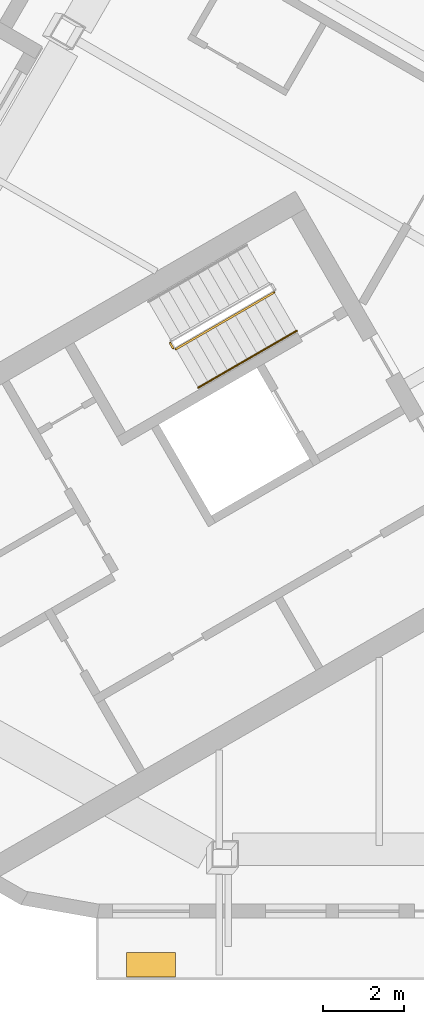
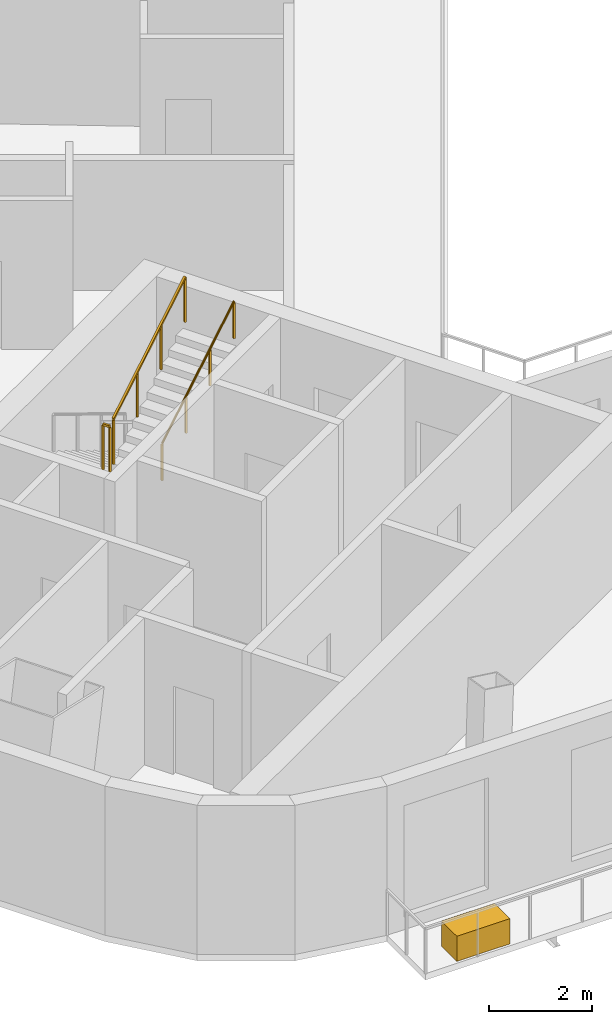
# One storey, part 9 of 14: 3 railings, 1 covering.
"""IFC4 building model written with IfcOpenShell, lengths in metres."""

from ifc_helpers import new_model, si_unit, direction, frame, origin, origin_2d, place, context, subcontext, project, spatial, rectangle, circle, extrude, material, type_object, element, save


model = new_model("IFC4")

# Units and contexts
model_context = context("Model", 3, precision=1e-05, world=origin(), true_north=direction((0.0, 1.0)))
body_context = subcontext(model_context, "Body", "Model", "MODEL_VIEW")
ifc_project = project(units=[si_unit("LENGTHUNIT", "METRE"), si_unit("AREAUNIT", "SQUARE_METRE"), si_unit("VOLUMEUNIT", "CUBIC_METRE"), si_unit("PLANEANGLEUNIT", "RADIAN"), si_unit("MASSUNIT", "GRAM", prefix="KILO")], contexts=[model_context])

# Site, building, storey
site_placement = place(None, origin())
site = spatial("IfcSite", under=ifc_project, at=site_placement, CompositionType="ELEMENT")
building_placement = place(site_placement, origin())
building = spatial("IfcBuilding", under=site, at=building_placement, Name="Apuvela Tower Hotel", CompositionType="ELEMENT")
storey_placement = place(building_placement, frame((0.0, 0.0, 254.10009765625)))
storey = spatial("IfcBuildingStorey", under=building, at=storey_placement, Name="L62", CompositionType="ELEMENT", Elevation=254.10009765625)

# Railings
ifc_material_1 = material(Name="Steel S275 balustrade", Category="steel")
railing_type_1 = type_object("IfcRailingType", Name="COR-GUARD-1100", PredefinedType="GUARDRAIL", material=ifc_material_1)
railing_1_placement = place(storey_placement, frame((-17.01220703125, -5.43408203125, 1.849853515625)))
element("IfcRailing", 1, at=railing_1_placement, inside=storey, type_object=railing_type_1, Name="L62 ST2 stair guard 2", PredefinedType="GUARDRAIL", context=body_context, shape_type="SweptSolid", body=[
    extrude(rectangle(XDim=0.048095703125, YDim=0.048095703125, at=origin_2d()), frame((0.0, 0.0, 1.076171875), z_axis=(0.499816412211, -0.866131372301, 0.0), x_axis=(0.866131372301, 0.499816412211, 0.0)), (0.0, 0.0, 1.0), 0.14990234375),
    extrude(rectangle(XDim=0.0419921875, YDim=0.0419921875, at=origin_2d()), origin(), (0.0, 0.0, 1.0), 1.052001953125),
    extrude(rectangle(XDim=0.0419921875, YDim=0.0419921875, at=origin_2d()), frame((0.074951171875, -0.1298828125, 0.0)), (0.0, 0.0, 1.0), 1.052001953125),
])
railing_2_placement = place(storey_placement, frame((-16.868896484375, -5.582275390625, 2.01806640625)))
element("IfcRailing", 2, at=railing_2_placement, inside=storey, type_object=railing_type_1, Name="L62 ST2 stair guard 3", PredefinedType="GUARDRAIL", context=body_context, shape_type="SweptSolid", body=[
    extrude(rectangle(XDim=0.048095703125, YDim=0.048095703125, at=origin_2d()), frame((0.0, 0.0, 1.076171875), z_axis=(0.742390482028, 0.42860119049, 0.514934356695), x_axis=(-0.49998411664, 0.866034573852, 0.0)), (0.0, 0.0, 1.0), 3.26611328125),
    extrude(rectangle(XDim=0.0419921875, YDim=0.0419921875, at=origin_2d()), origin(), (0.0, 0.0, 1.0), 1.052001953125),
    extrude(rectangle(XDim=0.0419921875, YDim=0.0419921875, at=origin_2d()), frame((0.808349609375, 0.466552734375, 0.560546875)), (0.0, 0.0, 1.0), 1.052001953125),
    extrude(rectangle(XDim=0.0419921875, YDim=0.0419921875, at=origin_2d()), frame((1.616455078125, 0.933349609375, 1.121337890625)), (0.0, 0.0, 1.0), 1.052001953125),
    extrude(rectangle(XDim=0.0419921875, YDim=0.0419921875, at=origin_2d()), frame((2.4248046875, 1.39990234375, 1.681884765625)), (0.0, 0.0, 1.0), 1.052001953125),
])
ifc_material_2 = material(Name="Stainless steel 316 handrail", Category="steel")
railing_type_2 = type_object("IfcRailingType", Name="COR-HANDRAIL-900", PredefinedType="HANDRAIL", material=ifc_material_2)
railing_3_placement = place(storey_placement, frame((-16.31884765625, -6.534912109375, 2.01806640625)))
element("IfcRailing", 3, at=railing_3_placement, inside=storey, type_object=railing_type_2, Name="L62 ST2 stair handrail 2", PredefinedType="HANDRAIL", context=body_context, shape_type="SweptSolid", body=[
    extrude(circle(Radius=0.02392578125, at=origin_2d()), frame((0.0, 0.0, 0.8759765625), z_axis=(0.742390482028, 0.42860119049, 0.514934356695), x_axis=(-0.49998411664, 0.866034573852, 0.0)), (0.0, 0.0, 1.0), 3.26611328125),
    extrude(rectangle(XDim=0.0419921875, YDim=0.0419921875, at=origin_2d()), origin(), (0.0, 0.0, 1.0), 0.851806640625),
    extrude(rectangle(XDim=0.0419921875, YDim=0.0419921875, at=origin_2d()), frame((0.808349609375, 0.466552734375, 0.560546875)), (0.0, 0.0, 1.0), 0.851806640625),
    extrude(rectangle(XDim=0.0419921875, YDim=0.0419921875, at=origin_2d()), frame((1.616455078125, 0.933349609375, 1.121337890625)), (0.0, 0.0, 1.0), 0.851806640625),
    extrude(rectangle(XDim=0.0419921875, YDim=0.0419921875, at=origin_2d()), frame((2.4248046875, 1.39990234375, 1.681884765625)), (0.0, 0.0, 1.0), 0.851806640625),
])

# Covering
ifc_material_3 = material(Name="Planting substrate and soil, planted")
covering_type = type_object("IfcCoveringType", Name="ENV-PLANTER-1200x600", PredefinedType="USERDEFINED", material=ifc_material_3)
covering_placement = place(storey_placement, frame((-17.485107421875, -20.780029296875, -0.000244140625), z_axis=(0.0, 0.0, 1.0), x_axis=(1.0, 0.0, 0.0)))
element("IfcCovering", 4, at=covering_placement, inside=storey, type_object=covering_type, Name="Planter S1", ObjectType="PLANTER", PredefinedType="USERDEFINED", context=body_context, shape_type="SweptSolid", body=[
    extrude(rectangle(XDim=1.199951171875, YDim=0.60009765625, at=origin_2d()), origin(), (0.0, 0.0, 1.0), 0.60009765625),
])

save(model, "model.ifc")
